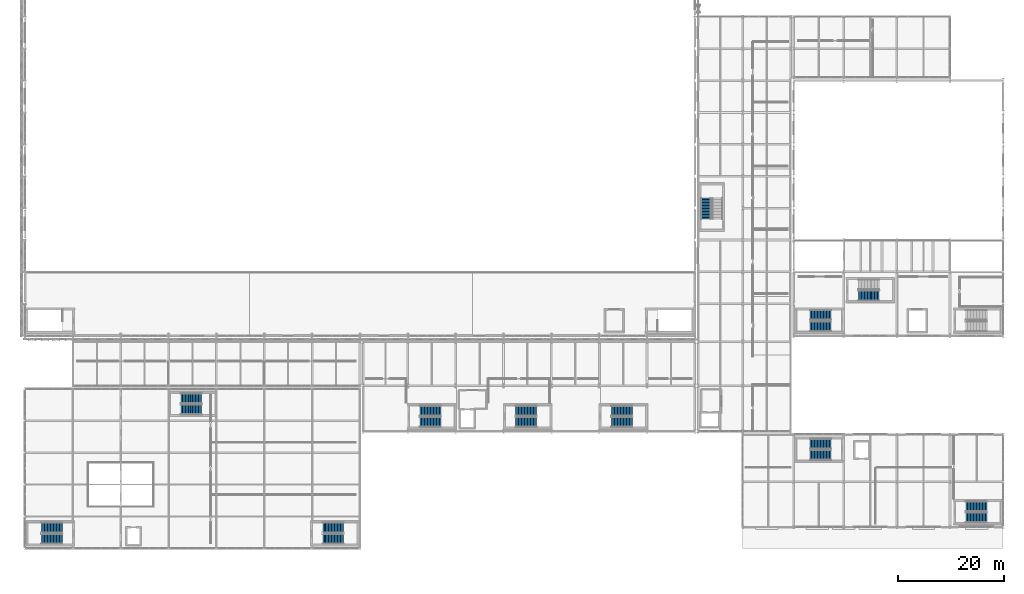
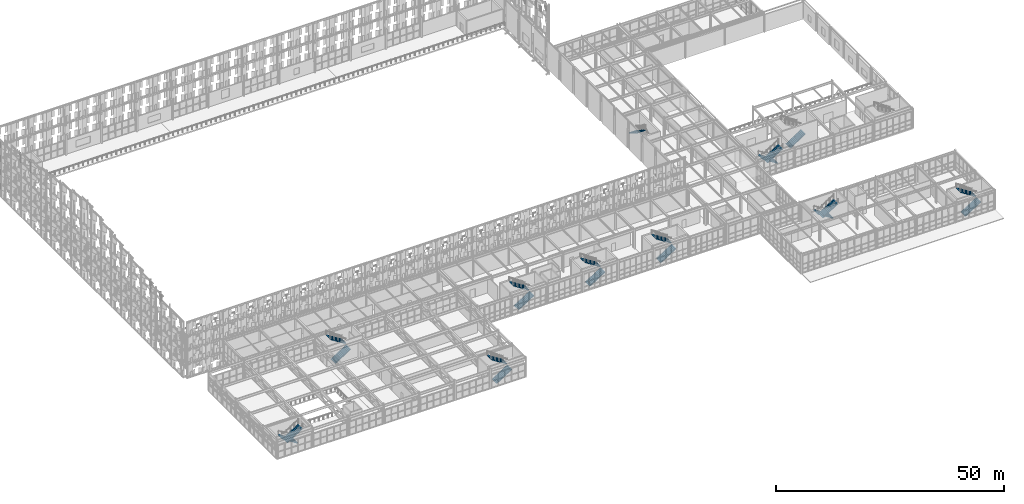
# One storey, part 163 of 210: 20 stair flights, 11 elements without a shape of their own.
"""IFC4 building model written with IfcOpenShell, lengths in metres."""

from ifc_helpers import new_model, si_unit, direction, frame, origin, place, context, subcontext, project, spatial, polyline, outline, extrude, material, type_object, element, aggregate, save


model = new_model("IFC4")

# Units and contexts
model_context = context("Model", 3, precision=1e-05, world=origin(), true_north=direction((0.0, 1.0)))
body_context = subcontext(model_context, "Body", "Model", "MODEL_VIEW")
ifc_project = project(units=[si_unit("LENGTHUNIT", "METRE"), si_unit("AREAUNIT", "SQUARE_METRE"), si_unit("VOLUMEUNIT", "CUBIC_METRE"), si_unit("PLANEANGLEUNIT", "RADIAN"), si_unit("MASSUNIT", "GRAM", prefix="KILO")], contexts=[model_context])

# Site, building, storey
site_placement = place(None, origin())
site = spatial("IfcSite", under=ifc_project, at=site_placement, CompositionType="ELEMENT")
building_placement = place(site_placement, origin())
building = spatial("IfcBuilding", under=site, at=building_placement, Name="Kaldris Quays Convention Centre", CompositionType="ELEMENT")
storey_placement = place(building_placement, frame((0.0, 0.0, 6.0)))
storey = spatial("IfcBuildingStorey", under=building, at=storey_placement, Name="L01", CompositionType="ELEMENT", Elevation=6.0)

# Stair, stair flights
ifc_material = material(Name="Concrete C35/45", Category="concrete")
stair_type = type_object("IfcStairType", Name="DOGLEG ESCAPE STAIR STF1", PredefinedType="TWO_STRAIGHT_RUN_STAIR", material=ifc_material)
stair_1_placement = place(storey_placement, origin())
stair_1 = element("IfcStair", 1, at=stair_1_placement, inside=storey, type_object=stair_type, Name="L01 Escape Stair ST05", PredefinedType="TWO_STRAIGHT_RUN_STAIR")
stair_flight_type = type_object("IfcStairFlightType", Name="STAIR FLIGHT SF01", PredefinedType="STRAIGHT", material=ifc_material)
stair_flight_1_placement = place(storey_placement, frame((27.0, 19.875, 0.0), z_axis=(0.0, 0.0, 1.0), x_axis=(-1.0, 0.0, 0.0)))
stair_flight_1 = element("IfcStairFlight", 2, at=stair_flight_1_placement, type_object=stair_flight_type, Name="STF1 flight 1", NumberOfRisers=15, NumberOfTreads=14, PredefinedType="STRAIGHT", RiserHeight=0.18, TreadLength=0.28, context=body_context, shape_type="SweptSolid", body=[
    extrude(outline(polyline([(0.0, 0.0), (0.0, 0.179931640625), (0.280029296875, 0.179931640625), (0.280029296875, 0.360107421875), (0.56005859375, 0.360107421875), (0.56005859375, 0.5400390625), (0.840087890625, 0.5400390625), (0.840087890625, 0.719970703125), (1.1201171875, 0.719970703125), (1.1201171875, 0.89990234375), (1.39990234375, 0.89990234375), (1.39990234375, 1.080078125), (1.679931640625, 1.080078125), (1.679931640625, 1.260009765625), (1.9599609375, 1.260009765625), (1.9599609375, 1.43994140625), (2.239990234375, 1.43994140625), (2.239990234375, 1.6201171875), (2.52001953125, 1.6201171875), (2.52001953125, 1.800048828125), (2.800048828125, 1.800048828125), (2.800048828125, 1.97998046875), (3.080078125, 1.97998046875), (3.080078125, 2.159912109375), (3.360107421875, 2.159912109375), (3.360107421875, 2.340087890625), (3.639892578125, 2.340087890625), (3.639892578125, 2.52001953125), (3.919921875, 2.52001953125), (3.919921875, 2.699951171875), (3.919921875, 2.341796875), (0.277099609375, 0.0), (0.0, 0.0)])), frame((0.0, 0.97509765625, 0.0), z_axis=(0.0, -1.0, 0.0), x_axis=(1.0, 0.0, 0.0)), (0.0, 0.0, 1.0), 1.949951171875),
])
stair_flight_2_placement = place(storey_placement, frame((23.080078125, 17.77490234375, 2.699951171875), z_axis=(0.0, 0.0, 1.0), x_axis=(1.0, 0.0, 0.0)))
stair_flight_2 = element("IfcStairFlight", 3, at=stair_flight_2_placement, type_object=stair_flight_type, Name="STF1 flight 2", NumberOfRisers=15, NumberOfTreads=14, PredefinedType="STRAIGHT", RiserHeight=0.18, TreadLength=0.28, context=body_context, shape_type="SweptSolid", body=[
    extrude(outline(polyline([(0.0, 0.0), (0.0, 0.179931640625), (0.280029296875, 0.179931640625), (0.280029296875, 0.360107421875), (0.56005859375, 0.360107421875), (0.56005859375, 0.5400390625), (0.840087890625, 0.5400390625), (0.840087890625, 0.719970703125), (1.1201171875, 0.719970703125), (1.1201171875, 0.89990234375), (1.39990234375, 0.89990234375), (1.39990234375, 1.080078125), (1.679931640625, 1.080078125), (1.679931640625, 1.260009765625), (1.9599609375, 1.260009765625), (1.9599609375, 1.43994140625), (2.239990234375, 1.43994140625), (2.239990234375, 1.6201171875), (2.52001953125, 1.6201171875), (2.52001953125, 1.800048828125), (2.800048828125, 1.800048828125), (2.800048828125, 1.97998046875), (3.080078125, 1.97998046875), (3.080078125, 2.159912109375), (3.360107421875, 2.159912109375), (3.360107421875, 2.340087890625), (3.639892578125, 2.340087890625), (3.639892578125, 2.52001953125), (3.919921875, 2.52001953125), (3.919921875, 2.699951171875), (3.919921875, 2.341796875), (0.277099609375, 0.0), (0.0, 0.0)])), frame((0.0, 0.97509765625, 0.0), z_axis=(0.0, -1.0, 0.0), x_axis=(1.0, 0.0, 0.0)), (0.0, 0.0, 1.0), 1.949951171875),
])
aggregate(stair_1, [stair_flight_1, stair_flight_2])

stair_2_placement = place(storey_placement, origin())
stair_2 = element("IfcStair", 4, at=stair_2_placement, inside=storey, type_object=stair_type, Name="L01 Escape Stair ST06", PredefinedType="TWO_STRAIGHT_RUN_STAIR")
stair_flight_3_placement = place(storey_placement, frame((76.0, 17.77490234375, 0.0), z_axis=(0.0, 0.0, 1.0), x_axis=(1.0, 0.0, 0.0)))
stair_flight_3 = element("IfcStairFlight", 5, at=stair_flight_3_placement, type_object=stair_flight_type, Name="STF1 flight 1", NumberOfRisers=15, NumberOfTreads=14, PredefinedType="STRAIGHT", RiserHeight=0.18, TreadLength=0.28, context=body_context, shape_type="SweptSolid", body=[
    extrude(outline(polyline([(0.0, 0.0), (0.0, 0.179931640625), (0.280029296875, 0.179931640625), (0.280029296875, 0.360107421875), (0.56005859375, 0.360107421875), (0.56005859375, 0.5400390625), (0.840087890625, 0.5400390625), (0.840087890625, 0.719970703125), (1.1201171875, 0.719970703125), (1.1201171875, 0.89990234375), (1.39990234375, 0.89990234375), (1.39990234375, 1.080078125), (1.679931640625, 1.080078125), (1.679931640625, 1.260009765625), (1.9599609375, 1.260009765625), (1.9599609375, 1.43994140625), (2.239990234375, 1.43994140625), (2.239990234375, 1.6201171875), (2.52001953125, 1.6201171875), (2.52001953125, 1.800048828125), (2.800048828125, 1.800048828125), (2.800048828125, 1.97998046875), (3.080078125, 1.97998046875), (3.080078125, 2.159912109375), (3.360107421875, 2.159912109375), (3.360107421875, 2.340087890625), (3.639892578125, 2.340087890625), (3.639892578125, 2.52001953125), (3.919921875, 2.52001953125), (3.919921875, 2.699951171875), (3.919921875, 2.341796875), (0.277099609375, 0.0), (0.0, 0.0)])), frame((0.0, 0.97509765625, 0.0), z_axis=(0.0, -1.0, 0.0), x_axis=(1.0, 0.0, 0.0)), (0.0, 0.0, 1.0), 1.949951171875),
])
stair_flight_4_placement = place(storey_placement, frame((79.919921875, 19.875, 2.699951171875), z_axis=(0.0, 0.0, 1.0), x_axis=(-1.0, 0.0, 0.0)))
stair_flight_4 = element("IfcStairFlight", 6, at=stair_flight_4_placement, type_object=stair_flight_type, Name="STF1 flight 2", NumberOfRisers=15, NumberOfTreads=14, PredefinedType="STRAIGHT", RiserHeight=0.18, TreadLength=0.28, context=body_context, shape_type="SweptSolid", body=[
    extrude(outline(polyline([(0.0, 0.0), (0.0, 0.179931640625), (0.280029296875, 0.179931640625), (0.280029296875, 0.360107421875), (0.56005859375, 0.360107421875), (0.56005859375, 0.5400390625), (0.840087890625, 0.5400390625), (0.840087890625, 0.719970703125), (1.1201171875, 0.719970703125), (1.1201171875, 0.89990234375), (1.39990234375, 0.89990234375), (1.39990234375, 1.080078125), (1.679931640625, 1.080078125), (1.679931640625, 1.260009765625), (1.9599609375, 1.260009765625), (1.9599609375, 1.43994140625), (2.239990234375, 1.43994140625), (2.239990234375, 1.6201171875), (2.52001953125, 1.6201171875), (2.52001953125, 1.800048828125), (2.800048828125, 1.800048828125), (2.800048828125, 1.97998046875), (3.080078125, 1.97998046875), (3.080078125, 2.159912109375), (3.360107421875, 2.159912109375), (3.360107421875, 2.340087890625), (3.639892578125, 2.340087890625), (3.639892578125, 2.52001953125), (3.919921875, 2.52001953125), (3.919921875, 2.699951171875), (3.919921875, 2.341796875), (0.277099609375, 0.0), (0.0, 0.0)])), frame((0.0, 0.97509765625, 0.0), z_axis=(0.0, -1.0, 0.0), x_axis=(1.0, 0.0, 0.0)), (0.0, 0.0, 1.0), 1.949951171875),
])
aggregate(stair_2, [stair_flight_3, stair_flight_4])

stair_3_placement = place(storey_placement, origin())
stair_3 = element("IfcStair", 7, at=stair_3_placement, inside=storey, type_object=stair_type, Name="L01 Escape Stair ST07", PredefinedType="TWO_STRAIGHT_RUN_STAIR")
stair_flight_5_placement = place(storey_placement, frame((49.300048828125, 42.125, 0.0), z_axis=(0.0, 0.0, 1.0), x_axis=(1.0, 0.0, 0.0)))
stair_flight_5 = element("IfcStairFlight", 8, at=stair_flight_5_placement, type_object=stair_flight_type, Name="STF1 flight 1", NumberOfRisers=15, NumberOfTreads=14, PredefinedType="STRAIGHT", RiserHeight=0.18, TreadLength=0.28, context=body_context, shape_type="SweptSolid", body=[
    extrude(outline(polyline([(0.0, 0.0), (0.0, 0.179931640625), (0.280029296875, 0.179931640625), (0.280029296875, 0.360107421875), (0.56005859375, 0.360107421875), (0.56005859375, 0.5400390625), (0.840087890625, 0.5400390625), (0.840087890625, 0.719970703125), (1.1201171875, 0.719970703125), (1.1201171875, 0.89990234375), (1.39990234375, 0.89990234375), (1.39990234375, 1.080078125), (1.679931640625, 1.080078125), (1.679931640625, 1.260009765625), (1.9599609375, 1.260009765625), (1.9599609375, 1.43994140625), (2.239990234375, 1.43994140625), (2.239990234375, 1.6201171875), (2.52001953125, 1.6201171875), (2.52001953125, 1.800048828125), (2.800048828125, 1.800048828125), (2.800048828125, 1.97998046875), (3.080078125, 1.97998046875), (3.080078125, 2.159912109375), (3.360107421875, 2.159912109375), (3.360107421875, 2.340087890625), (3.639892578125, 2.340087890625), (3.639892578125, 2.52001953125), (3.919921875, 2.52001953125), (3.919921875, 2.699951171875), (3.919921875, 2.341796875), (0.277099609375, 0.0), (0.0, 0.0)])), frame((0.0, 0.97509765625, 0.0), z_axis=(0.0, -1.0, 0.0), x_axis=(1.0, 0.0, 0.0)), (0.0, 0.0, 1.0), 1.949951171875),
])
stair_flight_6_placement = place(storey_placement, frame((53.219970703125, 44.22509765625, 2.699951171875), z_axis=(0.0, 0.0, 1.0), x_axis=(-1.0, 0.0, 0.0)))
stair_flight_6 = element("IfcStairFlight", 9, at=stair_flight_6_placement, type_object=stair_flight_type, Name="STF1 flight 2", NumberOfRisers=15, NumberOfTreads=14, PredefinedType="STRAIGHT", RiserHeight=0.18, TreadLength=0.28, context=body_context, shape_type="SweptSolid", body=[
    extrude(outline(polyline([(0.0, 0.0), (0.0, 0.179931640625), (0.280029296875, 0.179931640625), (0.280029296875, 0.360107421875), (0.56005859375, 0.360107421875), (0.56005859375, 0.5400390625), (0.840087890625, 0.5400390625), (0.840087890625, 0.719970703125), (1.1201171875, 0.719970703125), (1.1201171875, 0.89990234375), (1.39990234375, 0.89990234375), (1.39990234375, 1.080078125), (1.679931640625, 1.080078125), (1.679931640625, 1.260009765625), (1.9599609375, 1.260009765625), (1.9599609375, 1.43994140625), (2.239990234375, 1.43994140625), (2.239990234375, 1.6201171875), (2.52001953125, 1.6201171875), (2.52001953125, 1.800048828125), (2.800048828125, 1.800048828125), (2.800048828125, 1.97998046875), (3.080078125, 1.97998046875), (3.080078125, 2.159912109375), (3.360107421875, 2.159912109375), (3.360107421875, 2.340087890625), (3.639892578125, 2.340087890625), (3.639892578125, 2.52001953125), (3.919921875, 2.52001953125), (3.919921875, 2.699951171875), (3.919921875, 2.341796875), (0.277099609375, 0.0), (0.0, 0.0)])), frame((0.0, 0.97509765625, 0.0), z_axis=(0.0, -1.0, 0.0), x_axis=(1.0, 0.0, 0.0)), (0.0, 0.0, 1.0), 1.949951171875),
])
aggregate(stair_3, [stair_flight_5, stair_flight_6])

stair_4_placement = place(storey_placement, origin())
stair_4 = element("IfcStair", 10, at=stair_4_placement, inside=storey, type_object=stair_type, Name="L01 Escape Stair ST08", PredefinedType="TWO_STRAIGHT_RUN_STAIR")
stair_flight_7_placement = place(storey_placement, frame((171.60009765625, 59.875, 0.0), z_axis=(0.0, 0.0, 1.0), x_axis=(-1.0, 0.0, 0.0)))
stair_flight_7 = element("IfcStairFlight", 11, at=stair_flight_7_placement, type_object=stair_flight_type, Name="STF1 flight 1", NumberOfRisers=15, NumberOfTreads=14, PredefinedType="STRAIGHT", RiserHeight=0.18, TreadLength=0.28, context=body_context, shape_type="SweptSolid", body=[
    extrude(outline(polyline([(0.0, 0.0), (0.0, 0.179931640625), (0.280029296875, 0.179931640625), (0.280029296875, 0.360107421875), (0.56005859375, 0.360107421875), (0.56005859375, 0.5400390625), (0.840087890625, 0.5400390625), (0.840087890625, 0.719970703125), (1.1201171875, 0.719970703125), (1.1201171875, 0.89990234375), (1.39990234375, 0.89990234375), (1.39990234375, 1.080078125), (1.679931640625, 1.080078125), (1.679931640625, 1.260009765625), (1.9599609375, 1.260009765625), (1.9599609375, 1.43994140625), (2.239990234375, 1.43994140625), (2.239990234375, 1.6201171875), (2.52001953125, 1.6201171875), (2.52001953125, 1.800048828125), (2.800048828125, 1.800048828125), (2.800048828125, 1.97998046875), (3.080078125, 1.97998046875), (3.080078125, 2.159912109375), (3.360107421875, 2.159912109375), (3.360107421875, 2.340087890625), (3.639892578125, 2.340087890625), (3.639892578125, 2.52001953125), (3.919921875, 2.52001953125), (3.919921875, 2.699951171875), (3.919921875, 2.341796875), (0.277099609375, 0.0), (0.0, 0.0)])), frame((0.0, 0.97509765625, 0.0), z_axis=(0.0, -1.0, 0.0), x_axis=(1.0, 0.0, 0.0)), (0.0, 0.0, 1.0), 1.949951171875),
])
stair_flight_8_placement = place(storey_placement, frame((167.679931640625, 57.77490234375, 2.699951171875), z_axis=(0.0, 0.0, 1.0), x_axis=(1.0, 0.0, 0.0)))
stair_flight_8 = element("IfcStairFlight", 12, at=stair_flight_8_placement, type_object=stair_flight_type, Name="STF1 flight 2", NumberOfRisers=15, NumberOfTreads=14, PredefinedType="STRAIGHT", RiserHeight=0.18, TreadLength=0.28, context=body_context, shape_type="SweptSolid", body=[
    extrude(outline(polyline([(0.0, 0.0), (0.0, 0.179931640625), (0.280029296875, 0.179931640625), (0.280029296875, 0.360107421875), (0.56005859375, 0.360107421875), (0.56005859375, 0.5400390625), (0.840087890625, 0.5400390625), (0.840087890625, 0.719970703125), (1.1201171875, 0.719970703125), (1.1201171875, 0.89990234375), (1.39990234375, 0.89990234375), (1.39990234375, 1.080078125), (1.679931640625, 1.080078125), (1.679931640625, 1.260009765625), (1.9599609375, 1.260009765625), (1.9599609375, 1.43994140625), (2.239990234375, 1.43994140625), (2.239990234375, 1.6201171875), (2.52001953125, 1.6201171875), (2.52001953125, 1.800048828125), (2.800048828125, 1.800048828125), (2.800048828125, 1.97998046875), (3.080078125, 1.97998046875), (3.080078125, 2.159912109375), (3.360107421875, 2.159912109375), (3.360107421875, 2.340087890625), (3.639892578125, 2.340087890625), (3.639892578125, 2.52001953125), (3.919921875, 2.52001953125), (3.919921875, 2.699951171875), (3.919921875, 2.341796875), (0.277099609375, 0.0), (0.0, 0.0)])), frame((0.0, 0.97509765625, 0.0), z_axis=(0.0, -1.0, 0.0), x_axis=(1.0, 0.0, 0.0)), (0.0, 0.0, 1.0), 1.949951171875),
])
aggregate(stair_4, [stair_flight_7, stair_flight_8])

# Stair, stair flight
stair_5_placement = place(storey_placement, origin())
stair_5 = element("IfcStair", 13, at=stair_5_placement, inside=storey, type_object=stair_type, Name="L01 Escape Stair ST10", PredefinedType="TWO_STRAIGHT_RUN_STAIR")
stair_flight_9_placement = place(storey_placement, frame((176.75, 63.52490234375, 0.0), z_axis=(0.0, 0.0, 1.0), x_axis=(1.0, 0.0, 0.0)))
stair_flight_9 = element("IfcStairFlight", 14, at=stair_flight_9_placement, type_object=stair_flight_type, Name="STF1 flight 1", NumberOfRisers=15, NumberOfTreads=14, PredefinedType="STRAIGHT", RiserHeight=0.18, TreadLength=0.28, context=body_context, shape_type="SweptSolid", body=[
    extrude(outline(polyline([(0.0, 0.0), (0.0, 0.179931640625), (0.280029296875, 0.179931640625), (0.280029296875, 0.360107421875), (0.56005859375, 0.360107421875), (0.56005859375, 0.5400390625), (0.840087890625, 0.5400390625), (0.840087890625, 0.719970703125), (1.1201171875, 0.719970703125), (1.1201171875, 0.89990234375), (1.39990234375, 0.89990234375), (1.39990234375, 1.080078125), (1.679931640625, 1.080078125), (1.679931640625, 1.260009765625), (1.9599609375, 1.260009765625), (1.9599609375, 1.43994140625), (2.239990234375, 1.43994140625), (2.239990234375, 1.6201171875), (2.52001953125, 1.6201171875), (2.52001953125, 1.800048828125), (2.800048828125, 1.800048828125), (2.800048828125, 1.97998046875), (3.080078125, 1.97998046875), (3.080078125, 2.159912109375), (3.360107421875, 2.159912109375), (3.360107421875, 2.340087890625), (3.639892578125, 2.340087890625), (3.639892578125, 2.52001953125), (3.919921875, 2.52001953125), (3.919921875, 2.699951171875), (3.919921875, 2.341796875), (0.277099609375, 0.0), (0.0, 0.0)])), frame((0.0, 0.97509765625, 0.0), z_axis=(0.0, -1.0, 0.0), x_axis=(1.0, 0.0, 0.0)), (0.0, 0.0, 1.0), 1.949951171875),
])
aggregate(stair_5, [stair_flight_9])

# Stair, stair flights
stair_6_placement = place(storey_placement, origin())
stair_6 = element("IfcStair", 15, at=stair_6_placement, inside=storey, type_object=stair_type, Name="L01 Escape Stair ST11", PredefinedType="TWO_STRAIGHT_RUN_STAIR")
stair_flight_10_placement = place(storey_placement, frame((94.300048828125, 39.77490234375, 0.0), z_axis=(0.0, 0.0, 1.0), x_axis=(1.0, 0.0, 0.0)))
stair_flight_10 = element("IfcStairFlight", 16, at=stair_flight_10_placement, type_object=stair_flight_type, Name="STF1 flight 1", NumberOfRisers=15, NumberOfTreads=14, PredefinedType="STRAIGHT", RiserHeight=0.18, TreadLength=0.28, context=body_context, shape_type="SweptSolid", body=[
    extrude(outline(polyline([(0.0, 0.0), (0.0, 0.179931640625), (0.280029296875, 0.179931640625), (0.280029296875, 0.360107421875), (0.56005859375, 0.360107421875), (0.56005859375, 0.5400390625), (0.840087890625, 0.5400390625), (0.840087890625, 0.719970703125), (1.1201171875, 0.719970703125), (1.1201171875, 0.89990234375), (1.39990234375, 0.89990234375), (1.39990234375, 1.080078125), (1.679931640625, 1.080078125), (1.679931640625, 1.260009765625), (1.9599609375, 1.260009765625), (1.9599609375, 1.43994140625), (2.239990234375, 1.43994140625), (2.239990234375, 1.6201171875), (2.52001953125, 1.6201171875), (2.52001953125, 1.800048828125), (2.800048828125, 1.800048828125), (2.800048828125, 1.97998046875), (3.080078125, 1.97998046875), (3.080078125, 2.159912109375), (3.360107421875, 2.159912109375), (3.360107421875, 2.340087890625), (3.639892578125, 2.340087890625), (3.639892578125, 2.52001953125), (3.919921875, 2.52001953125), (3.919921875, 2.699951171875), (3.919921875, 2.341796875), (0.277099609375, 0.0), (0.0, 0.0)])), frame((0.0, 0.97509765625, 0.0), z_axis=(0.0, -1.0, 0.0), x_axis=(1.0, 0.0, 0.0)), (0.0, 0.0, 1.0), 1.949951171875),
])
stair_flight_11_placement = place(storey_placement, frame((98.219970703125, 41.875, 2.699951171875), z_axis=(0.0, 0.0, 1.0), x_axis=(-1.0, 0.0, 0.0)))
stair_flight_11 = element("IfcStairFlight", 17, at=stair_flight_11_placement, type_object=stair_flight_type, Name="STF1 flight 2", NumberOfRisers=15, NumberOfTreads=14, PredefinedType="STRAIGHT", RiserHeight=0.18, TreadLength=0.28, context=body_context, shape_type="SweptSolid", body=[
    extrude(outline(polyline([(0.0, 0.0), (0.0, 0.179931640625), (0.280029296875, 0.179931640625), (0.280029296875, 0.360107421875), (0.56005859375, 0.360107421875), (0.56005859375, 0.5400390625), (0.840087890625, 0.5400390625), (0.840087890625, 0.719970703125), (1.1201171875, 0.719970703125), (1.1201171875, 0.89990234375), (1.39990234375, 0.89990234375), (1.39990234375, 1.080078125), (1.679931640625, 1.080078125), (1.679931640625, 1.260009765625), (1.9599609375, 1.260009765625), (1.9599609375, 1.43994140625), (2.239990234375, 1.43994140625), (2.239990234375, 1.6201171875), (2.52001953125, 1.6201171875), (2.52001953125, 1.800048828125), (2.800048828125, 1.800048828125), (2.800048828125, 1.97998046875), (3.080078125, 1.97998046875), (3.080078125, 2.159912109375), (3.360107421875, 2.159912109375), (3.360107421875, 2.340087890625), (3.639892578125, 2.340087890625), (3.639892578125, 2.52001953125), (3.919921875, 2.52001953125), (3.919921875, 2.699951171875), (3.919921875, 2.341796875), (0.277099609375, 0.0), (0.0, 0.0)])), frame((0.0, 0.97509765625, 0.0), z_axis=(0.0, -1.0, 0.0), x_axis=(1.0, 0.0, 0.0)), (0.0, 0.0, 1.0), 1.949951171875),
])
aggregate(stair_6, [stair_flight_10, stair_flight_11])

stair_7_placement = place(storey_placement, origin())
stair_7 = element("IfcStair", 18, at=stair_7_placement, inside=storey, type_object=stair_type, Name="L01 Escape Stair ST12", PredefinedType="TWO_STRAIGHT_RUN_STAIR")
stair_flight_12_placement = place(storey_placement, frame((130.300048828125, 39.77490234375, 0.0), z_axis=(0.0, 0.0, 1.0), x_axis=(1.0, 0.0, 0.0)))
stair_flight_12 = element("IfcStairFlight", 19, at=stair_flight_12_placement, type_object=stair_flight_type, Name="STF1 flight 1", NumberOfRisers=15, NumberOfTreads=14, PredefinedType="STRAIGHT", RiserHeight=0.18, TreadLength=0.28, context=body_context, shape_type="SweptSolid", body=[
    extrude(outline(polyline([(0.0, 0.0), (0.0, 0.179931640625), (0.280029296875, 0.179931640625), (0.280029296875, 0.360107421875), (0.56005859375, 0.360107421875), (0.56005859375, 0.5400390625), (0.840087890625, 0.5400390625), (0.840087890625, 0.719970703125), (1.1201171875, 0.719970703125), (1.1201171875, 0.89990234375), (1.39990234375, 0.89990234375), (1.39990234375, 1.080078125), (1.679931640625, 1.080078125), (1.679931640625, 1.260009765625), (1.9599609375, 1.260009765625), (1.9599609375, 1.43994140625), (2.239990234375, 1.43994140625), (2.239990234375, 1.6201171875), (2.52001953125, 1.6201171875), (2.52001953125, 1.800048828125), (2.800048828125, 1.800048828125), (2.800048828125, 1.97998046875), (3.080078125, 1.97998046875), (3.080078125, 2.159912109375), (3.360107421875, 2.159912109375), (3.360107421875, 2.340087890625), (3.639892578125, 2.340087890625), (3.639892578125, 2.52001953125), (3.919921875, 2.52001953125), (3.919921875, 2.699951171875), (3.919921875, 2.341796875), (0.277099609375, 0.0), (0.0, 0.0)])), frame((0.0, 0.97509765625, 0.0), z_axis=(0.0, -1.0, 0.0), x_axis=(1.0, 0.0, 0.0)), (0.0, 0.0, 1.0), 1.949951171875),
])
stair_flight_13_placement = place(storey_placement, frame((134.219970703125, 41.875, 2.699951171875), z_axis=(0.0, 0.0, 1.0), x_axis=(-1.0, 0.0, 0.0)))
stair_flight_13 = element("IfcStairFlight", 20, at=stair_flight_13_placement, type_object=stair_flight_type, Name="STF1 flight 2", NumberOfRisers=15, NumberOfTreads=14, PredefinedType="STRAIGHT", RiserHeight=0.18, TreadLength=0.28, context=body_context, shape_type="SweptSolid", body=[
    extrude(outline(polyline([(0.0, 0.0), (0.0, 0.179931640625), (0.280029296875, 0.179931640625), (0.280029296875, 0.360107421875), (0.56005859375, 0.360107421875), (0.56005859375, 0.5400390625), (0.840087890625, 0.5400390625), (0.840087890625, 0.719970703125), (1.1201171875, 0.719970703125), (1.1201171875, 0.89990234375), (1.39990234375, 0.89990234375), (1.39990234375, 1.080078125), (1.679931640625, 1.080078125), (1.679931640625, 1.260009765625), (1.9599609375, 1.260009765625), (1.9599609375, 1.43994140625), (2.239990234375, 1.43994140625), (2.239990234375, 1.6201171875), (2.52001953125, 1.6201171875), (2.52001953125, 1.800048828125), (2.800048828125, 1.800048828125), (2.800048828125, 1.97998046875), (3.080078125, 1.97998046875), (3.080078125, 2.159912109375), (3.360107421875, 2.159912109375), (3.360107421875, 2.340087890625), (3.639892578125, 2.340087890625), (3.639892578125, 2.52001953125), (3.919921875, 2.52001953125), (3.919921875, 2.699951171875), (3.919921875, 2.341796875), (0.277099609375, 0.0), (0.0, 0.0)])), frame((0.0, 0.97509765625, 0.0), z_axis=(0.0, -1.0, 0.0), x_axis=(1.0, 0.0, 0.0)), (0.0, 0.0, 1.0), 1.949951171875),
])
aggregate(stair_7, [stair_flight_12, stair_flight_13])

stair_8_placement = place(storey_placement, origin())
stair_8 = element("IfcStair", 21, at=stair_8_placement, inside=storey, type_object=stair_type, Name="L01 Escape Stair ST13", PredefinedType="TWO_STRAIGHT_RUN_STAIR")
stair_flight_14_placement = place(storey_placement, frame((112.300048828125, 39.77490234375, 0.0), z_axis=(0.0, 0.0, 1.0), x_axis=(1.0, 0.0, 0.0)))
stair_flight_14 = element("IfcStairFlight", 22, at=stair_flight_14_placement, type_object=stair_flight_type, Name="STF1 flight 1", NumberOfRisers=15, NumberOfTreads=14, PredefinedType="STRAIGHT", RiserHeight=0.18, TreadLength=0.28, context=body_context, shape_type="SweptSolid", body=[
    extrude(outline(polyline([(0.0, 0.0), (0.0, 0.179931640625), (0.280029296875, 0.179931640625), (0.280029296875, 0.360107421875), (0.56005859375, 0.360107421875), (0.56005859375, 0.5400390625), (0.840087890625, 0.5400390625), (0.840087890625, 0.719970703125), (1.1201171875, 0.719970703125), (1.1201171875, 0.89990234375), (1.39990234375, 0.89990234375), (1.39990234375, 1.080078125), (1.679931640625, 1.080078125), (1.679931640625, 1.260009765625), (1.9599609375, 1.260009765625), (1.9599609375, 1.43994140625), (2.239990234375, 1.43994140625), (2.239990234375, 1.6201171875), (2.52001953125, 1.6201171875), (2.52001953125, 1.800048828125), (2.800048828125, 1.800048828125), (2.800048828125, 1.97998046875), (3.080078125, 1.97998046875), (3.080078125, 2.159912109375), (3.360107421875, 2.159912109375), (3.360107421875, 2.340087890625), (3.639892578125, 2.340087890625), (3.639892578125, 2.52001953125), (3.919921875, 2.52001953125), (3.919921875, 2.699951171875), (3.919921875, 2.341796875), (0.277099609375, 0.0), (0.0, 0.0)])), frame((0.0, 0.97509765625, 0.0), z_axis=(0.0, -1.0, 0.0), x_axis=(1.0, 0.0, 0.0)), (0.0, 0.0, 1.0), 1.949951171875),
])
stair_flight_15_placement = place(storey_placement, frame((116.219970703125, 41.875, 2.699951171875), z_axis=(0.0, 0.0, 1.0), x_axis=(-1.0, 0.0, 0.0)))
stair_flight_15 = element("IfcStairFlight", 23, at=stair_flight_15_placement, type_object=stair_flight_type, Name="STF1 flight 2", NumberOfRisers=15, NumberOfTreads=14, PredefinedType="STRAIGHT", RiserHeight=0.18, TreadLength=0.28, context=body_context, shape_type="SweptSolid", body=[
    extrude(outline(polyline([(0.0, 0.0), (0.0, 0.179931640625), (0.280029296875, 0.179931640625), (0.280029296875, 0.360107421875), (0.56005859375, 0.360107421875), (0.56005859375, 0.5400390625), (0.840087890625, 0.5400390625), (0.840087890625, 0.719970703125), (1.1201171875, 0.719970703125), (1.1201171875, 0.89990234375), (1.39990234375, 0.89990234375), (1.39990234375, 1.080078125), (1.679931640625, 1.080078125), (1.679931640625, 1.260009765625), (1.9599609375, 1.260009765625), (1.9599609375, 1.43994140625), (2.239990234375, 1.43994140625), (2.239990234375, 1.6201171875), (2.52001953125, 1.6201171875), (2.52001953125, 1.800048828125), (2.800048828125, 1.800048828125), (2.800048828125, 1.97998046875), (3.080078125, 1.97998046875), (3.080078125, 2.159912109375), (3.360107421875, 2.159912109375), (3.360107421875, 2.340087890625), (3.639892578125, 2.340087890625), (3.639892578125, 2.52001953125), (3.919921875, 2.52001953125), (3.919921875, 2.699951171875), (3.919921875, 2.341796875), (0.277099609375, 0.0), (0.0, 0.0)])), frame((0.0, 0.97509765625, 0.0), z_axis=(0.0, -1.0, 0.0), x_axis=(1.0, 0.0, 0.0)), (0.0, 0.0, 1.0), 1.949951171875),
])
aggregate(stair_8, [stair_flight_14, stair_flight_15])

# Stair, stair flight
stair_9_placement = place(storey_placement, origin())
stair_9 = element("IfcStair", 24, at=stair_9_placement, inside=storey, type_object=stair_type, Name="L01 Escape Stair ST14", PredefinedType="TWO_STRAIGHT_RUN_STAIR")
stair_flight_16_placement = place(storey_placement, frame((148.125, 81.8701171875, 2.699951171875), z_axis=(0.0, 0.0, 1.0), x_axis=(0.0, -1.0, 0.0)))
stair_flight_16 = element("IfcStairFlight", 25, at=stair_flight_16_placement, type_object=stair_flight_type, Name="STF1 flight 2", NumberOfRisers=15, NumberOfTreads=14, PredefinedType="STRAIGHT", RiserHeight=0.18, TreadLength=0.28, context=body_context, shape_type="SweptSolid", body=[
    extrude(outline(polyline([(0.0, 0.0), (0.0, 0.179931640625), (0.280029296875, 0.179931640625), (0.280029296875, 0.360107421875), (0.56005859375, 0.360107421875), (0.56005859375, 0.5400390625), (0.840087890625, 0.5400390625), (0.840087890625, 0.719970703125), (1.1201171875, 0.719970703125), (1.1201171875, 0.89990234375), (1.39990234375, 0.89990234375), (1.39990234375, 1.080078125), (1.679931640625, 1.080078125), (1.679931640625, 1.260009765625), (1.9599609375, 1.260009765625), (1.9599609375, 1.43994140625), (2.239990234375, 1.43994140625), (2.239990234375, 1.6201171875), (2.52001953125, 1.6201171875), (2.52001953125, 1.800048828125), (2.800048828125, 1.800048828125), (2.800048828125, 1.97998046875), (3.080078125, 1.97998046875), (3.080078125, 2.159912109375), (3.360107421875, 2.159912109375), (3.360107421875, 2.340087890625), (3.639892578125, 2.340087890625), (3.639892578125, 2.52001953125), (3.919921875, 2.52001953125), (3.919921875, 2.699951171875), (3.919921875, 2.341796875), (0.277099609375, 0.0), (0.0, 0.0)])), frame((0.0, 0.97509765625, 0.0), z_axis=(0.0, -1.0, 0.0), x_axis=(1.0, 0.0, 0.0)), (0.0, 0.0, 1.0), 1.949951171875),
])
aggregate(stair_9, [stair_flight_16])

# Stair, stair flights
stair_10_placement = place(storey_placement, origin())
stair_10 = element("IfcStair", 26, at=stair_10_placement, inside=storey, type_object=stair_type, Name="L01 Escape Stair ST15", PredefinedType="TWO_STRAIGHT_RUN_STAIR")
stair_flight_17_placement = place(storey_placement, frame((171.60009765625, 35.625, 0.0), z_axis=(0.0, 0.0, 1.0), x_axis=(-1.0, 0.0, 0.0)))
stair_flight_17 = element("IfcStairFlight", 27, at=stair_flight_17_placement, type_object=stair_flight_type, Name="STF1 flight 1", NumberOfRisers=15, NumberOfTreads=14, PredefinedType="STRAIGHT", RiserHeight=0.18, TreadLength=0.28, context=body_context, shape_type="SweptSolid", body=[
    extrude(outline(polyline([(0.0, 0.0), (0.0, 0.179931640625), (0.280029296875, 0.179931640625), (0.280029296875, 0.360107421875), (0.56005859375, 0.360107421875), (0.56005859375, 0.5400390625), (0.840087890625, 0.5400390625), (0.840087890625, 0.719970703125), (1.1201171875, 0.719970703125), (1.1201171875, 0.89990234375), (1.39990234375, 0.89990234375), (1.39990234375, 1.080078125), (1.679931640625, 1.080078125), (1.679931640625, 1.260009765625), (1.9599609375, 1.260009765625), (1.9599609375, 1.43994140625), (2.239990234375, 1.43994140625), (2.239990234375, 1.6201171875), (2.52001953125, 1.6201171875), (2.52001953125, 1.800048828125), (2.800048828125, 1.800048828125), (2.800048828125, 1.97998046875), (3.080078125, 1.97998046875), (3.080078125, 2.159912109375), (3.360107421875, 2.159912109375), (3.360107421875, 2.340087890625), (3.639892578125, 2.340087890625), (3.639892578125, 2.52001953125), (3.919921875, 2.52001953125), (3.919921875, 2.699951171875), (3.919921875, 2.341796875), (0.277099609375, 0.0), (0.0, 0.0)])), frame((0.0, 0.97509765625, 0.0), z_axis=(0.0, -1.0, 0.0), x_axis=(1.0, 0.0, 0.0)), (0.0, 0.0, 1.0), 1.949951171875),
])
stair_flight_18_placement = place(storey_placement, frame((167.679931640625, 33.52490234375, 2.699951171875), z_axis=(0.0, 0.0, 1.0), x_axis=(1.0, 0.0, 0.0)))
stair_flight_18 = element("IfcStairFlight", 28, at=stair_flight_18_placement, type_object=stair_flight_type, Name="STF1 flight 2", NumberOfRisers=15, NumberOfTreads=14, PredefinedType="STRAIGHT", RiserHeight=0.18, TreadLength=0.28, context=body_context, shape_type="SweptSolid", body=[
    extrude(outline(polyline([(0.0, 0.0), (0.0, 0.179931640625), (0.280029296875, 0.179931640625), (0.280029296875, 0.360107421875), (0.56005859375, 0.360107421875), (0.56005859375, 0.5400390625), (0.840087890625, 0.5400390625), (0.840087890625, 0.719970703125), (1.1201171875, 0.719970703125), (1.1201171875, 0.89990234375), (1.39990234375, 0.89990234375), (1.39990234375, 1.080078125), (1.679931640625, 1.080078125), (1.679931640625, 1.260009765625), (1.9599609375, 1.260009765625), (1.9599609375, 1.43994140625), (2.239990234375, 1.43994140625), (2.239990234375, 1.6201171875), (2.52001953125, 1.6201171875), (2.52001953125, 1.800048828125), (2.800048828125, 1.800048828125), (2.800048828125, 1.97998046875), (3.080078125, 1.97998046875), (3.080078125, 2.159912109375), (3.360107421875, 2.159912109375), (3.360107421875, 2.340087890625), (3.639892578125, 2.340087890625), (3.639892578125, 2.52001953125), (3.919921875, 2.52001953125), (3.919921875, 2.699951171875), (3.919921875, 2.341796875), (0.277099609375, 0.0), (0.0, 0.0)])), frame((0.0, 0.97509765625, 0.0), z_axis=(0.0, -1.0, 0.0), x_axis=(1.0, 0.0, 0.0)), (0.0, 0.0, 1.0), 1.949951171875),
])
aggregate(stair_10, [stair_flight_17, stair_flight_18])

stair_11_placement = place(storey_placement, origin())
stair_11 = element("IfcStair", 29, at=stair_11_placement, inside=storey, type_object=stair_type, Name="L01 Escape Stair ST16", PredefinedType="TWO_STRAIGHT_RUN_STAIR")
stair_flight_19_placement = place(storey_placement, frame((197.0, 21.77490234375, 0.0), z_axis=(0.0, 0.0, 1.0), x_axis=(1.0, 0.0, 0.0)))
stair_flight_19 = element("IfcStairFlight", 30, at=stair_flight_19_placement, type_object=stair_flight_type, Name="STF1 flight 1", NumberOfRisers=15, NumberOfTreads=14, PredefinedType="STRAIGHT", RiserHeight=0.18, TreadLength=0.28, context=body_context, shape_type="SweptSolid", body=[
    extrude(outline(polyline([(0.0, 0.0), (0.0, 0.179931640625), (0.280029296875, 0.179931640625), (0.280029296875, 0.360107421875), (0.56005859375, 0.360107421875), (0.56005859375, 0.5400390625), (0.840087890625, 0.5400390625), (0.840087890625, 0.719970703125), (1.1201171875, 0.719970703125), (1.1201171875, 0.89990234375), (1.39990234375, 0.89990234375), (1.39990234375, 1.080078125), (1.679931640625, 1.080078125), (1.679931640625, 1.260009765625), (1.9599609375, 1.260009765625), (1.9599609375, 1.43994140625), (2.239990234375, 1.43994140625), (2.239990234375, 1.6201171875), (2.52001953125, 1.6201171875), (2.52001953125, 1.800048828125), (2.800048828125, 1.800048828125), (2.800048828125, 1.97998046875), (3.080078125, 1.97998046875), (3.080078125, 2.159912109375), (3.360107421875, 2.159912109375), (3.360107421875, 2.340087890625), (3.639892578125, 2.340087890625), (3.639892578125, 2.52001953125), (3.919921875, 2.52001953125), (3.919921875, 2.699951171875), (3.919921875, 2.341796875), (0.277099609375, 0.0), (0.0, 0.0)])), frame((0.0, 0.97509765625, 0.0), z_axis=(0.0, -1.0, 0.0), x_axis=(1.0, 0.0, 0.0)), (0.0, 0.0, 1.0), 1.949951171875),
])
stair_flight_20_placement = place(storey_placement, frame((200.919921875, 23.875, 2.699951171875), z_axis=(0.0, 0.0, 1.0), x_axis=(-1.0, 0.0, 0.0)))
stair_flight_20 = element("IfcStairFlight", 31, at=stair_flight_20_placement, type_object=stair_flight_type, Name="STF1 flight 2", NumberOfRisers=15, NumberOfTreads=14, PredefinedType="STRAIGHT", RiserHeight=0.18, TreadLength=0.28, context=body_context, shape_type="SweptSolid", body=[
    extrude(outline(polyline([(0.0, 0.0), (0.0, 0.179931640625), (0.280029296875, 0.179931640625), (0.280029296875, 0.360107421875), (0.56005859375, 0.360107421875), (0.56005859375, 0.5400390625), (0.840087890625, 0.5400390625), (0.840087890625, 0.719970703125), (1.1201171875, 0.719970703125), (1.1201171875, 0.89990234375), (1.39990234375, 0.89990234375), (1.39990234375, 1.080078125), (1.679931640625, 1.080078125), (1.679931640625, 1.260009765625), (1.9599609375, 1.260009765625), (1.9599609375, 1.43994140625), (2.239990234375, 1.43994140625), (2.239990234375, 1.6201171875), (2.52001953125, 1.6201171875), (2.52001953125, 1.800048828125), (2.800048828125, 1.800048828125), (2.800048828125, 1.97998046875), (3.080078125, 1.97998046875), (3.080078125, 2.159912109375), (3.360107421875, 2.159912109375), (3.360107421875, 2.340087890625), (3.639892578125, 2.340087890625), (3.639892578125, 2.52001953125), (3.919921875, 2.52001953125), (3.919921875, 2.699951171875), (3.919921875, 2.341796875), (0.277099609375, 0.0), (0.0, 0.0)])), frame((0.0, 0.97509765625, 0.0), z_axis=(0.0, -1.0, 0.0), x_axis=(1.0, 0.0, 0.0)), (0.0, 0.0, 1.0), 1.949951171875),
])
aggregate(stair_11, [stair_flight_19, stair_flight_20])

save(model, "model.ifc")
